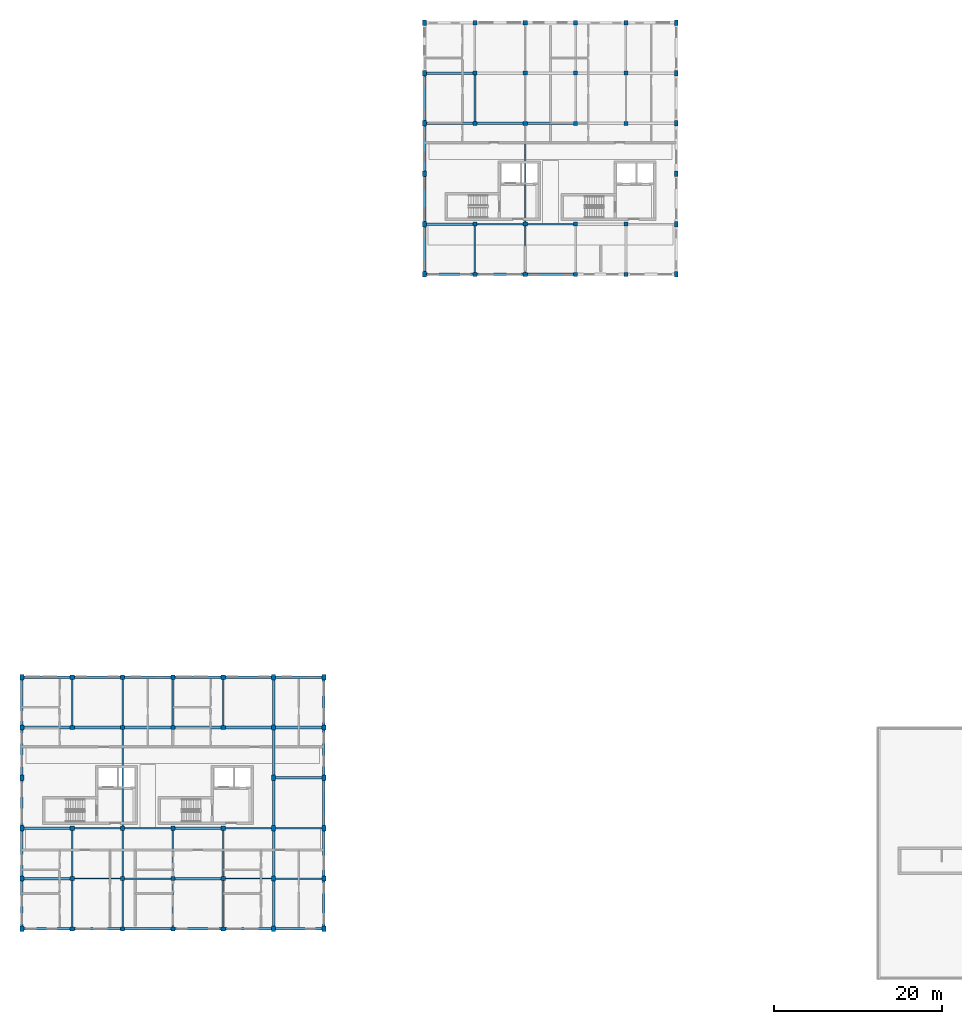
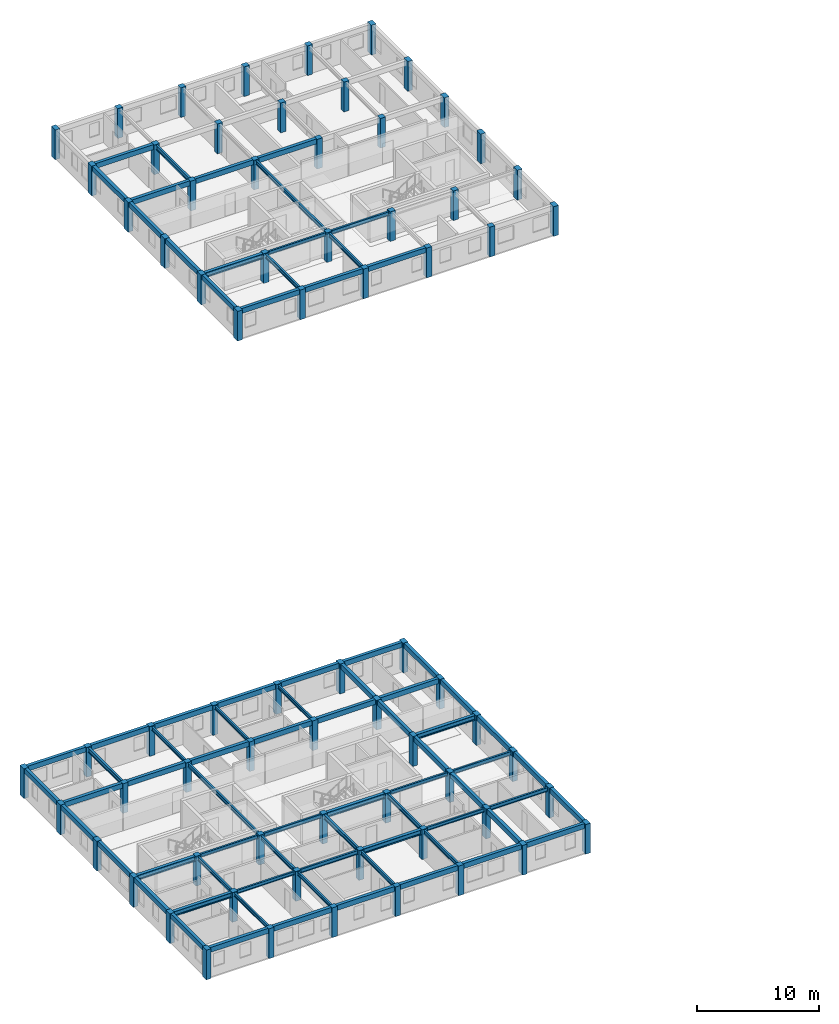
# One storey, part 1 of 17: 77 beams, 70 columns.
"""IFC4 building model written with IfcOpenShell, lengths in metres."""

from ifc_helpers import new_model, si_unit, direction, frame, origin, origin_2d, place, context, subcontext, project, spatial, rectangle, i_section, extrude, material, material_profile, profile_set, type_object, element, save


model = new_model("IFC4")

# Units and contexts
model_context = context("Model", 3, precision=1e-05, world=origin(), true_north=direction((0.0, 1.0)))
body_context = subcontext(model_context, "Body", "Model", "MODEL_VIEW")
ifc_project = project(units=[si_unit("LENGTHUNIT", "METRE"), si_unit("AREAUNIT", "SQUARE_METRE"), si_unit("VOLUMEUNIT", "CUBIC_METRE"), si_unit("PLANEANGLEUNIT", "RADIAN"), si_unit("MASSUNIT", "GRAM", prefix="KILO"), si_unit("POWERUNIT", "WATT"), si_unit("THERMODYNAMICTEMPERATUREUNIT", "KELVIN")], contexts=[model_context])

# Site, building, storey
site_placement = place(None, origin())
site = spatial("IfcSite", under=ifc_project, at=site_placement, CompositionType="ELEMENT")
building_placement = place(site_placement, origin())
building = spatial("IfcBuilding", under=site, at=building_placement, Name="Ruvembo Vaulted Housing Court", CompositionType="ELEMENT")
storey_placement = place(building_placement, frame((0.0, 0.0, 30.10009765625)))
storey = spatial("IfcBuildingStorey", under=building, at=storey_placement, Name="L09", CompositionType="ELEMENT", Elevation=30.10009765625)

# Columns
ifc_material_1 = material(Name="Concrete C35/45", Category="concrete")
ifc_material_profile_1 = material_profile(ifc_material_1, rectangle(XDim=0.449951171875, YDim=0.64990234375, at=origin_2d()), Name="RC 450x650")
ifc_profile_set_1 = profile_set([ifc_material_profile_1], Name="Concrete C35/45")
column_type_1 = type_object("IfcColumnType", Name="COL-RC-450x650", PredefinedType="COLUMN", material=ifc_profile_set_1)
for number, where, z_axis, x_axis, name in (
    (1, (0.0, 6.0, 0.0), (0.0, 0.0, 1.0), (1.0, 0.0, 0.0), "L09 Column (0,6)"),
    (2, (0.0, 12.0, 0.0), (0.0, 0.0, 1.0), (1.0, 0.0, 0.0), "L09 Column (0,12)"),
    (3, (0.0, 18.0, 0.0), (0.0, 0.0, 1.0), (1.0, 0.0, 0.0), "L09 Column (0,18)"),
    (4, (0.0, 24.0, 0.0), (0.0, 0.0, 1.0), (1.0, 0.0, 0.0), "L09 Column (0,24)"),
    (5, (0.0, 30.0, 0.0), (0.0, 0.0, 1.0), (1.0, 0.0, 0.0), "L09 Column (0,30)"),
    (6, (0.0, 36.0, 0.0), (0.0, 0.0, 1.0), (1.0, 0.0, 0.0), "L09 Column (0,36)"),
    (7, (30.0, 6.0, 0.0), (0.0, 0.0, 1.0), (1.0, 0.0, 0.0), "L09 Column (30,6)"),
    (8, (30.0, 12.0, 0.0), (0.0, 0.0, 1.0), (1.0, 0.0, 0.0), "L09 Column (30,12)"),
    (9, (30.0, 18.0, 0.0), (0.0, 0.0, 1.0), (1.0, 0.0, 0.0), "L09 Column (30,18)"),
    (10, (30.0, 24.0, 0.0), (0.0, 0.0, 1.0), (1.0, 0.0, 0.0), "L09 Column (30,24)"),
    (11, (30.0, 30.0, 0.0), (0.0, 0.0, 1.0), (1.0, 0.0, 0.0), "L09 Column (30,30)"),
    (12, (30.0, 36.0, 0.0), (0.0, 0.0, 1.0), (1.0, 0.0, 0.0), "L09 Column (30,36)"),
    (13, (36.0, 6.0, 0.0), (0.0, 0.0, 1.0), (1.0, 0.0, 0.0), "L09 Column (36,6)"),
    (14, (36.0, 12.0, 0.0), (0.0, 0.0, 1.0), (1.0, 0.0, 0.0), "L09 Column (36,12)"),
    (15, (36.0, 18.0, 0.0), (0.0, 0.0, 1.0), (1.0, 0.0, 0.0), "L09 Column (36,18)"),
    (16, (36.0, 24.0, 0.0), (0.0, 0.0, 1.0), (1.0, 0.0, 0.0), "L09 Column (36,24)"),
    (17, (36.0, 30.0, 0.0), (0.0, 0.0, 1.0), (1.0, 0.0, 0.0), "L09 Column (36,30)"),
    (18, (36.0, 36.0, 0.0), (0.0, 0.0, 1.0), (1.0, 0.0, 0.0), "L09 Column (36,36)"),
    (19, (48.0, 84.0, 0.0), (0.0, 0.0, 1.0), (1.0, 0.0, 0.0), "L09 Column (48,84)"),
    (20, (48.0, 90.0, 0.0), (0.0, 0.0, 1.0), (1.0, 0.0, 0.0), "L09 Column (48,90)"),
    (21, (48.0, 96.0, 0.0), (0.0, 0.0, 1.0), (1.0, 0.0, 0.0), "L09 Column (48,96)"),
    (22, (48.0, 102.0, 0.0), (0.0, 0.0, 1.0), (1.0, 0.0, 0.0), "L09 Column (48,102)"),
    (23, (48.0, 108.0, 0.0), (0.0, 0.0, 1.0), (1.0, 0.0, 0.0), "L09 Column (48,108)"),
    (24, (48.0, 114.0, 0.0), (0.0, 0.0, 1.0), (1.0, 0.0, 0.0), "L09 Column (48,114)"),
    (25, (78.0, 84.0, 0.0), (0.0, 0.0, 1.0), (1.0, 0.0, 0.0), "L09 Column (78,84)"),
    (26, (78.0, 90.0, 0.0), (0.0, 0.0, 1.0), (1.0, 0.0, 0.0), "L09 Column (78,90)"),
    (27, (78.0, 96.0, 0.0), (0.0, 0.0, 1.0), (1.0, 0.0, 0.0), "L09 Column (78,96)"),
    (28, (78.0, 102.0, 0.0), (0.0, 0.0, 1.0), (1.0, 0.0, 0.0), "L09 Column (78,102)"),
    (29, (78.0, 108.0, 0.0), (0.0, 0.0, 1.0), (1.0, 0.0, 0.0), "L09 Column (78,108)"),
    (30, (78.0, 114.0, 0.0), (0.0, 0.0, 1.0), (1.0, 0.0, 0.0), "L09 Column (78,114)"),
):
    element("IfcColumn", number, at=place(storey_placement, frame(where, z_axis=z_axis, x_axis=x_axis)), inside=storey, type_object=column_type_1, Name=name, PredefinedType="COLUMN", context=body_context, shape_type="SweptSolid", body=[
        extrude(rectangle(XDim=0.449951171875, YDim=0.64990234375, at=origin_2d()), origin(), (0.0, 0.0, 1.0), 2.98486328125),
    ])
ifc_material_profile_2 = material_profile(ifc_material_1, rectangle(XDim=0.5, YDim=0.5, at=origin_2d()), Name="RC 500x500")
ifc_profile_set_2 = profile_set([ifc_material_profile_2], Name="Concrete C35/45")
column_type_2 = type_object("IfcColumnType", Name="COL-RC-500", PredefinedType="COLUMN", material=ifc_profile_set_2)
for number, where, z_axis, x_axis, name in (
    (31, (6.0, 6.0, 0.0), (0.0, 0.0, 1.0), (1.0, 0.0, 0.0), "L09 Column (6,6)"),
    (32, (6.0, 12.0, 0.0), (0.0, 0.0, 1.0), (1.0, 0.0, 0.0), "L09 Column (6,12)"),
    (33, (6.0, 18.0, 0.0), (0.0, 0.0, 1.0), (1.0, 0.0, 0.0), "L09 Column (6,18)"),
    (34, (6.0, 30.0, 0.0), (0.0, 0.0, 1.0), (1.0, 0.0, 0.0), "L09 Column (6,30)"),
    (35, (6.0, 36.0, 0.0), (0.0, 0.0, 1.0), (1.0, 0.0, 0.0), "L09 Column (6,36)"),
    (36, (12.0, 6.0, 0.0), (0.0, 0.0, 1.0), (1.0, 0.0, 0.0), "L09 Column (12,6)"),
    (37, (12.0, 12.0, 0.0), (0.0, 0.0, 1.0), (1.0, 0.0, 0.0), "L09 Column (12,12)"),
    (38, (12.0, 18.0, 0.0), (0.0, 0.0, 1.0), (1.0, 0.0, 0.0), "L09 Column (12,18)"),
    (39, (12.0, 30.0, 0.0), (0.0, 0.0, 1.0), (1.0, 0.0, 0.0), "L09 Column (12,30)"),
    (40, (12.0, 36.0, 0.0), (0.0, 0.0, 1.0), (1.0, 0.0, 0.0), "L09 Column (12,36)"),
    (41, (18.0, 6.0, 0.0), (0.0, 0.0, 1.0), (1.0, 0.0, 0.0), "L09 Column (18,6)"),
    (42, (18.0, 12.0, 0.0), (0.0, 0.0, 1.0), (1.0, 0.0, 0.0), "L09 Column (18,12)"),
    (43, (18.0, 18.0, 0.0), (0.0, 0.0, 1.0), (1.0, 0.0, 0.0), "L09 Column (18,18)"),
    (44, (18.0, 30.0, 0.0), (0.0, 0.0, 1.0), (1.0, 0.0, 0.0), "L09 Column (18,30)"),
    (45, (18.0, 36.0, 0.0), (0.0, 0.0, 1.0), (1.0, 0.0, 0.0), "L09 Column (18,36)"),
    (46, (24.0, 6.0, 0.0), (0.0, 0.0, 1.0), (1.0, 0.0, 0.0), "L09 Column (24,6)"),
    (47, (24.0, 12.0, 0.0), (0.0, 0.0, 1.0), (1.0, 0.0, 0.0), "L09 Column (24,12)"),
    (48, (24.0, 18.0, 0.0), (0.0, 0.0, 1.0), (1.0, 0.0, 0.0), "L09 Column (24,18)"),
    (49, (24.0, 30.0, 0.0), (0.0, 0.0, 1.0), (1.0, 0.0, 0.0), "L09 Column (24,30)"),
    (50, (24.0, 36.0, 0.0), (0.0, 0.0, 1.0), (1.0, 0.0, 0.0), "L09 Column (24,36)"),
    (51, (54.0, 84.0, 0.0), (0.0, 0.0, 1.0), (1.0, 0.0, 0.0), "L09 Column (54,84)"),
    (52, (54.0, 90.0, 0.0), (0.0, 0.0, 1.0), (1.0, 0.0, 0.0), "L09 Column (54,90)"),
    (53, (54.0, 102.0, 0.0), (0.0, 0.0, 1.0), (1.0, 0.0, 0.0), "L09 Column (54,102)"),
    (54, (54.0, 108.0, 0.0), (0.0, 0.0, 1.0), (1.0, 0.0, 0.0), "L09 Column (54,108)"),
    (55, (54.0, 114.0, 0.0), (0.0, 0.0, 1.0), (1.0, 0.0, 0.0), "L09 Column (54,114)"),
    (56, (60.0, 84.0, 0.0), (0.0, 0.0, 1.0), (1.0, 0.0, 0.0), "L09 Column (60,84)"),
    (57, (60.0, 90.0, 0.0), (0.0, 0.0, 1.0), (1.0, 0.0, 0.0), "L09 Column (60,90)"),
    (58, (60.0, 102.0, 0.0), (0.0, 0.0, 1.0), (1.0, 0.0, 0.0), "L09 Column (60,102)"),
    (59, (60.0, 108.0, 0.0), (0.0, 0.0, 1.0), (1.0, 0.0, 0.0), "L09 Column (60,108)"),
    (60, (60.0, 114.0, 0.0), (0.0, 0.0, 1.0), (1.0, 0.0, 0.0), "L09 Column (60,114)"),
    (61, (66.0, 84.0, 0.0), (0.0, 0.0, 1.0), (1.0, 0.0, 0.0), "L09 Column (66,84)"),
    (62, (66.0, 90.0, 0.0), (0.0, 0.0, 1.0), (1.0, 0.0, 0.0), "L09 Column (66,90)"),
    (63, (66.0, 102.0, 0.0), (0.0, 0.0, 1.0), (1.0, 0.0, 0.0), "L09 Column (66,102)"),
    (64, (66.0, 108.0, 0.0), (0.0, 0.0, 1.0), (1.0, 0.0, 0.0), "L09 Column (66,108)"),
    (65, (66.0, 114.0, 0.0), (0.0, 0.0, 1.0), (1.0, 0.0, 0.0), "L09 Column (66,114)"),
    (66, (72.0, 84.0, 0.0), (0.0, 0.0, 1.0), (1.0, 0.0, 0.0), "L09 Column (72,84)"),
    (67, (72.0, 90.0, 0.0), (0.0, 0.0, 1.0), (1.0, 0.0, 0.0), "L09 Column (72,90)"),
    (68, (72.0, 102.0, 0.0), (0.0, 0.0, 1.0), (1.0, 0.0, 0.0), "L09 Column (72,102)"),
    (69, (72.0, 108.0, 0.0), (0.0, 0.0, 1.0), (1.0, 0.0, 0.0), "L09 Column (72,108)"),
    (70, (72.0, 114.0, 0.0), (0.0, 0.0, 1.0), (1.0, 0.0, 0.0), "L09 Column (72,114)"),
):
    element("IfcColumn", number, at=place(storey_placement, frame(where, z_axis=z_axis, x_axis=x_axis)), inside=storey, type_object=column_type_2, Name=name, PredefinedType="COLUMN", context=body_context, shape_type="SweptSolid", body=[
        extrude(rectangle(XDim=0.5, YDim=0.5, at=origin_2d()), origin(), (0.0, 0.0, 1.0), 2.98486328125),
    ])

# Beams
ifc_material_2 = material(Name="Steel S355J2", Category="steel")
ifc_material_profile_3 = material_profile(ifc_material_2, i_section(OverallWidth=0.300048828125, OverallDepth=0.5, WebThickness=0.014404296875, FlangeThickness=0.028076171875, FilletRadius=0.027099609375, at=origin_2d()), Name="HEB 320")
ifc_profile_set_3 = profile_set([ifc_material_profile_3], Name="Steel S355J2")
beam_type_1 = type_object("IfcBeamType", Name="BM-ST-HEB320", PredefinedType="BEAM", material=ifc_profile_set_3)
beam_1_placement = place(storey_placement, frame((0.2099609375, 12.0, 2.67578125), z_axis=(1.0, 0.0, 0.0), x_axis=(0.0, 1.0, 0.0)))
element("IfcBeam", 71, at=beam_1_placement, inside=storey, type_object=beam_type_1, Name="L09 Grid Beam X #3140", PredefinedType="BEAM", context=body_context, shape_type="SweptSolid", body=[
    extrude(i_section(OverallWidth=0.300048828125, OverallDepth=0.5, WebThickness=0.014404296875, FlangeThickness=0.028076171875, FilletRadius=0.027099609375, at=origin_2d()), origin(), (0.0, 0.0, 1.0), 5.554931640625),
])
beam_2_placement = place(storey_placement, frame((18.235107421875, 12.0, 2.67578125), z_axis=(1.0, 0.0, 0.0), x_axis=(0.0, 1.0, 0.0)))
element("IfcBeam", 72, at=beam_2_placement, inside=storey, type_object=beam_type_1, Name="L09 Grid Beam X #3143", PredefinedType="BEAM", context=body_context, shape_type="SweptSolid", body=[
    extrude(i_section(OverallWidth=0.300048828125, OverallDepth=0.5, WebThickness=0.014404296875, FlangeThickness=0.028076171875, FilletRadius=0.027099609375, at=origin_2d()), origin(), (0.0, 0.0, 1.0), 5.52978515625),
])
beam_3_placement = place(storey_placement, frame((0.2099609375, 18.0, 2.67578125), z_axis=(1.0, 0.0, 0.0), x_axis=(0.0, 1.0, 0.0)))
element("IfcBeam", 73, at=beam_3_placement, inside=storey, type_object=beam_type_1, Name="L09 Grid Beam X #3146", PredefinedType="BEAM", context=body_context, shape_type="SweptSolid", body=[
    extrude(i_section(OverallWidth=0.300048828125, OverallDepth=0.5, WebThickness=0.014404296875, FlangeThickness=0.028076171875, FilletRadius=0.027099609375, at=origin_2d()), origin(), (0.0, 0.0, 1.0), 5.554931640625),
])
beam_4_placement = place(storey_placement, frame((18.235107421875, 18.0, 2.67578125), z_axis=(1.0, 0.0, 0.0), x_axis=(0.0, 1.0, 0.0)))
element("IfcBeam", 74, at=beam_4_placement, inside=storey, type_object=beam_type_1, Name="L09 Grid Beam X #3149", PredefinedType="BEAM", context=body_context, shape_type="SweptSolid", body=[
    extrude(i_section(OverallWidth=0.300048828125, OverallDepth=0.5, WebThickness=0.014404296875, FlangeThickness=0.028076171875, FilletRadius=0.027099609375, at=origin_2d()), origin(), (0.0, 0.0, 1.0), 5.52978515625),
])
beam_5_placement = place(storey_placement, frame((30.2099609375, 24.0, 2.67578125), z_axis=(1.0, 0.0, 0.0), x_axis=(0.0, 1.0, 0.0)))
element("IfcBeam", 75, at=beam_5_placement, inside=storey, type_object=beam_type_1, Name="L09 Grid Beam X #3152", PredefinedType="BEAM", context=body_context, shape_type="SweptSolid", body=[
    extrude(i_section(OverallWidth=0.300048828125, OverallDepth=0.5, WebThickness=0.014404296875, FlangeThickness=0.028076171875, FilletRadius=0.027099609375, at=origin_2d()), origin(), (0.0, 0.0, 1.0), 5.580078125),
])
beam_6_placement = place(storey_placement, frame((48.2099609375, 90.0, 2.67578125), z_axis=(1.0, 0.0, 0.0), x_axis=(0.0, 1.0, 0.0)))
element("IfcBeam", 76, at=beam_6_placement, inside=storey, type_object=beam_type_1, Name="L09 Grid Beam X #3170", PredefinedType="BEAM", context=body_context, shape_type="SweptSolid", body=[
    extrude(i_section(OverallWidth=0.300048828125, OverallDepth=0.5, WebThickness=0.014404296875, FlangeThickness=0.028076171875, FilletRadius=0.027099609375, at=origin_2d()), origin(), (0.0, 0.0, 1.0), 5.554931640625),
])
ifc_material_profile_4 = material_profile(ifc_material_2, i_section(OverallWidth=0.169921875, OverallDepth=0.360107421875, WebThickness=0.008056640625, FlangeThickness=0.0126953125, FilletRadius=0.01806640625, at=origin_2d()), Name="IPE 360")
ifc_profile_set_4 = profile_set([ifc_material_profile_4], Name="Steel S355J2")
beam_type_2 = type_object("IfcBeamType", Name="BM-ST-IPE360", PredefinedType="BEAM", material=ifc_profile_set_4)
beam_7_placement = place(storey_placement, frame((6.235107421875, 12.0, 2.745849609375), z_axis=(1.0, 0.0, 0.0), x_axis=(0.0, 1.0, 0.0)))
element("IfcBeam", 77, at=beam_7_placement, inside=storey, type_object=beam_type_2, Name="L09 Grid Beam X #3141", PredefinedType="BEAM", context=body_context, shape_type="SweptSolid", body=[
    extrude(i_section(OverallWidth=0.169921875, OverallDepth=0.360107421875, WebThickness=0.008056640625, FlangeThickness=0.0126953125, FilletRadius=0.01806640625, at=origin_2d()), origin(), (0.0, 0.0, 1.0), 5.52978515625),
])
beam_8_placement = place(storey_placement, frame((24.235107421875, 12.0, 2.745849609375), z_axis=(1.0, 0.0, 0.0), x_axis=(0.0, 1.0, 0.0)))
element("IfcBeam", 78, at=beam_8_placement, inside=storey, type_object=beam_type_2, Name="L09 Grid Beam X #3144", PredefinedType="BEAM", context=body_context, shape_type="SweptSolid", body=[
    extrude(i_section(OverallWidth=0.169921875, OverallDepth=0.360107421875, WebThickness=0.008056640625, FlangeThickness=0.0126953125, FilletRadius=0.01806640625, at=origin_2d()), origin(), (0.0, 0.0, 1.0), 5.554931640625),
])
beam_9_placement = place(storey_placement, frame((6.235107421875, 18.0, 2.745849609375), z_axis=(1.0, 0.0, 0.0), x_axis=(0.0, 1.0, 0.0)))
element("IfcBeam", 79, at=beam_9_placement, inside=storey, type_object=beam_type_2, Name="L09 Grid Beam X #3147", PredefinedType="BEAM", context=body_context, shape_type="SweptSolid", body=[
    extrude(i_section(OverallWidth=0.169921875, OverallDepth=0.360107421875, WebThickness=0.008056640625, FlangeThickness=0.0126953125, FilletRadius=0.01806640625, at=origin_2d()), origin(), (0.0, 0.0, 1.0), 5.52978515625),
])
beam_10_placement = place(storey_placement, frame((24.235107421875, 18.0, 2.745849609375), z_axis=(1.0, 0.0, 0.0), x_axis=(0.0, 1.0, 0.0)))
element("IfcBeam", 80, at=beam_10_placement, inside=storey, type_object=beam_type_2, Name="L09 Grid Beam X #3150", PredefinedType="BEAM", context=body_context, shape_type="SweptSolid", body=[
    extrude(i_section(OverallWidth=0.169921875, OverallDepth=0.360107421875, WebThickness=0.008056640625, FlangeThickness=0.0126953125, FilletRadius=0.01806640625, at=origin_2d()), origin(), (0.0, 0.0, 1.0), 5.554931640625),
])
for number, where, z_axis, x_axis, name in (
    (81, (54.235107421875, 90.0, 2.745849609375), (1.0, 0.0, 0.0), (0.0, 1.0, 0.0), "L09 Grid Beam X #3171"),
    (82, (6.0, 6.235107421875, 2.745849609375), (0.0, 1.0, 0.0), (-1.0, 0.0, 0.0), "L09 Grid Beam Y #3195"),
    (83, (12.0, 6.235107421875, 2.745849609375), (0.0, 1.0, 0.0), (-1.0, 0.0, 0.0), "L09 Grid Beam Y #3198"),
    (84, (12.0, 30.235107421875, 2.745849609375), (0.0, 1.0, 0.0), (-1.0, 0.0, 0.0), "L09 Grid Beam Y #3201"),
    (85, (18.0, 30.235107421875, 2.745849609375), (0.0, 1.0, 0.0), (-1.0, 0.0, 0.0), "L09 Grid Beam Y #3204"),
    (86, (24.0, 30.235107421875, 2.745849609375), (0.0, 1.0, 0.0), (-1.0, 0.0, 0.0), "L09 Grid Beam Y #3207"),
):
    element("IfcBeam", number, at=place(storey_placement, frame(where, z_axis=z_axis, x_axis=x_axis)), inside=storey, type_object=beam_type_2, Name=name, PredefinedType="BEAM", context=body_context, shape_type="SweptSolid", body=[
        extrude(i_section(OverallWidth=0.169921875, OverallDepth=0.360107421875, WebThickness=0.008056640625, FlangeThickness=0.0126953125, FilletRadius=0.01806640625, at=origin_2d()), origin(), (0.0, 0.0, 1.0), 5.52978515625),
    ])
ifc_material_profile_5 = material_profile(ifc_material_2, i_section(OverallWidth=0.179931640625, OverallDepth=0.39990234375, WebThickness=0.008544921875, FlangeThickness=0.013427734375, FilletRadius=0.02099609375, at=origin_2d()), Name="IPE 400")
ifc_profile_set_5 = profile_set([ifc_material_profile_5], Name="Steel S355J2")
beam_type_3 = type_object("IfcBeamType", Name="BM-ST-IPE400", PredefinedType="BEAM", material=ifc_profile_set_5)
beam_11_placement = place(storey_placement, frame((12.235107421875, 12.0, 2.725830078125), z_axis=(1.0, 0.0, 0.0), x_axis=(0.0, 1.0, 0.0)))
element("IfcBeam", 87, at=beam_11_placement, inside=storey, type_object=beam_type_3, Name="L09 Grid Beam X #3142", PredefinedType="BEAM", context=body_context, shape_type="SweptSolid", body=[
    extrude(i_section(OverallWidth=0.179931640625, OverallDepth=0.39990234375, WebThickness=0.008544921875, FlangeThickness=0.013427734375, FilletRadius=0.02099609375, at=origin_2d()), origin(), (0.0, 0.0, 1.0), 5.52978515625),
])
beam_12_placement = place(storey_placement, frame((30.2099609375, 12.0, 2.725830078125), z_axis=(1.0, 0.0, 0.0), x_axis=(0.0, 1.0, 0.0)))
element("IfcBeam", 88, at=beam_12_placement, inside=storey, type_object=beam_type_3, Name="L09 Grid Beam X #3145", PredefinedType="BEAM", context=body_context, shape_type="SweptSolid", body=[
    extrude(i_section(OverallWidth=0.179931640625, OverallDepth=0.39990234375, WebThickness=0.008544921875, FlangeThickness=0.013427734375, FilletRadius=0.02099609375, at=origin_2d()), origin(), (0.0, 0.0, 1.0), 5.580078125),
])
beam_13_placement = place(storey_placement, frame((12.235107421875, 18.0, 2.725830078125), z_axis=(1.0, 0.0, 0.0), x_axis=(0.0, 1.0, 0.0)))
element("IfcBeam", 89, at=beam_13_placement, inside=storey, type_object=beam_type_3, Name="L09 Grid Beam X #3148", PredefinedType="BEAM", context=body_context, shape_type="SweptSolid", body=[
    extrude(i_section(OverallWidth=0.179931640625, OverallDepth=0.39990234375, WebThickness=0.008544921875, FlangeThickness=0.013427734375, FilletRadius=0.02099609375, at=origin_2d()), origin(), (0.0, 0.0, 1.0), 5.52978515625),
])
beam_14_placement = place(storey_placement, frame((30.2099609375, 18.0, 2.725830078125), z_axis=(1.0, 0.0, 0.0), x_axis=(0.0, 1.0, 0.0)))
element("IfcBeam", 90, at=beam_14_placement, inside=storey, type_object=beam_type_3, Name="L09 Grid Beam X #3151", PredefinedType="BEAM", context=body_context, shape_type="SweptSolid", body=[
    extrude(i_section(OverallWidth=0.179931640625, OverallDepth=0.39990234375, WebThickness=0.008544921875, FlangeThickness=0.013427734375, FilletRadius=0.02099609375, at=origin_2d()), origin(), (0.0, 0.0, 1.0), 5.580078125),
])
for number, where, z_axis, x_axis, name in (
    (91, (60.235107421875, 90.0, 2.725830078125), (1.0, 0.0, 0.0), (0.0, 1.0, 0.0), "L09 Grid Beam X #3172"),
    (92, (6.0, 12.235107421875, 2.725830078125), (0.0, 1.0, 0.0), (-1.0, 0.0, 0.0), "L09 Grid Beam Y #3196"),
    (93, (12.0, 12.235107421875, 2.725830078125), (0.0, 1.0, 0.0), (-1.0, 0.0, 0.0), "L09 Grid Beam Y #3199"),
):
    element("IfcBeam", number, at=place(storey_placement, frame(where, z_axis=z_axis, x_axis=x_axis)), inside=storey, type_object=beam_type_3, Name=name, PredefinedType="BEAM", context=body_context, shape_type="SweptSolid", body=[
        extrude(i_section(OverallWidth=0.179931640625, OverallDepth=0.39990234375, WebThickness=0.008544921875, FlangeThickness=0.013427734375, FilletRadius=0.02099609375, at=origin_2d()), origin(), (0.0, 0.0, 1.0), 5.52978515625),
    ])
beam_15_placement = place(storey_placement, frame((12.0, 18.235107421875, 2.725830078125), z_axis=(0.0, 1.0, 0.0), x_axis=(-1.0, 0.0, 0.0)))
element("IfcBeam", 94, at=beam_15_placement, inside=storey, type_object=beam_type_3, Name="L09 Grid Beam Y #3200", PredefinedType="BEAM", context=body_context, shape_type="SweptSolid", body=[
    extrude(i_section(OverallWidth=0.179931640625, OverallDepth=0.39990234375, WebThickness=0.008544921875, FlangeThickness=0.013427734375, FilletRadius=0.02099609375, at=origin_2d()), origin(), (0.0, 0.0, 1.0), 11.52978515625),
])
for number, where, z_axis, x_axis, name in (
    (95, (18.0, 6.235107421875, 2.725830078125), (0.0, 1.0, 0.0), (-1.0, 0.0, 0.0), "L09 Grid Beam Y #3202"),
    (96, (24.0, 6.235107421875, 2.725830078125), (0.0, 1.0, 0.0), (-1.0, 0.0, 0.0), "L09 Grid Beam Y #3205"),
    (97, (54.0, 84.235107421875, 2.725830078125), (0.0, 1.0, 0.0), (-1.0, 0.0, 0.0), "L09 Grid Beam Y #3223"),
    (98, (60.0, 84.235107421875, 2.725830078125), (0.0, 1.0, 0.0), (-1.0, 0.0, 0.0), "L09 Grid Beam Y #3226"),
):
    element("IfcBeam", number, at=place(storey_placement, frame(where, z_axis=z_axis, x_axis=x_axis)), inside=storey, type_object=beam_type_3, Name=name, PredefinedType="BEAM", context=body_context, shape_type="SweptSolid", body=[
        extrude(i_section(OverallWidth=0.179931640625, OverallDepth=0.39990234375, WebThickness=0.008544921875, FlangeThickness=0.013427734375, FilletRadius=0.02099609375, at=origin_2d()), origin(), (0.0, 0.0, 1.0), 5.52978515625),
    ])
beam_16_placement = place(storey_placement, frame((60.0, 90.235107421875, 2.725830078125), z_axis=(0.0, 1.0, 0.0), x_axis=(-1.0, 0.0, 0.0)))
element("IfcBeam", 99, at=beam_16_placement, inside=storey, type_object=beam_type_3, Name="L09 Grid Beam Y #3227", PredefinedType="BEAM", context=body_context, shape_type="SweptSolid", body=[
    extrude(i_section(OverallWidth=0.179931640625, OverallDepth=0.39990234375, WebThickness=0.008544921875, FlangeThickness=0.013427734375, FilletRadius=0.02099609375, at=origin_2d()), origin(), (0.0, 0.0, 1.0), 11.52978515625),
])
ifc_material_profile_6 = material_profile(ifc_material_2, i_section(OverallWidth=0.18994140625, OverallDepth=0.449951171875, WebThickness=0.009521484375, FlangeThickness=0.0146484375, FilletRadius=0.02099609375, at=origin_2d()), Name="IPE 450")
ifc_profile_set_6 = profile_set([ifc_material_profile_6], Name="Steel S355J2")
beam_type_4 = type_object("IfcBeamType", Name="BM-ST-IPE450", PredefinedType="BEAM", material=ifc_profile_set_6)
for number, where, z_axis, x_axis, name in (
    (100, (6.0, 30.235107421875, 2.700927734375), (0.0, 1.0, 0.0), (-1.0, 0.0, 0.0), "L09 Grid Beam Y #3197"),
    (101, (18.0, 12.235107421875, 2.700927734375), (0.0, 1.0, 0.0), (-1.0, 0.0, 0.0), "L09 Grid Beam Y #3203"),
    (102, (24.0, 12.235107421875, 2.700927734375), (0.0, 1.0, 0.0), (-1.0, 0.0, 0.0), "L09 Grid Beam Y #3206"),
    (103, (54.0, 102.235107421875, 2.700927734375), (0.0, 1.0, 0.0), (-1.0, 0.0, 0.0), "L09 Grid Beam Y #3224"),
):
    element("IfcBeam", number, at=place(storey_placement, frame(where, z_axis=z_axis, x_axis=x_axis)), inside=storey, type_object=beam_type_4, Name=name, PredefinedType="BEAM", context=body_context, shape_type="SweptSolid", body=[
        extrude(i_section(OverallWidth=0.18994140625, OverallDepth=0.449951171875, WebThickness=0.009521484375, FlangeThickness=0.0146484375, FilletRadius=0.02099609375, at=origin_2d()), origin(), (0.0, 0.0, 1.0), 5.52978515625),
    ])
ifc_material_profile_7 = material_profile(ifc_material_1, rectangle(XDim=0.300048828125, YDim=0.5, at=origin_2d()), Name="RC 300x500")
ifc_profile_set_7 = profile_set([ifc_material_profile_7], Name="Concrete C35/45")
beam_type_5 = type_object("IfcBeamType", Name="SP-RC-300x500", PredefinedType="SPANDREL", material=ifc_profile_set_7)
beam_17_placement = place(storey_placement, frame((0.2099609375, 6.0, 2.73486328125), z_axis=(1.0, 0.0, 0.0), x_axis=(0.0, 1.0, 0.0)))
element("IfcBeam", 104, at=beam_17_placement, inside=storey, type_object=beam_type_5, Name="L09 Grid Beam X #3134", PredefinedType="SPANDREL", context=body_context, shape_type="SweptSolid", body=[
    extrude(rectangle(XDim=0.300048828125, YDim=0.5, at=origin_2d()), origin(), (0.0, 0.0, 1.0), 5.554931640625),
])
for number, where, z_axis, x_axis, name in (
    (105, (6.235107421875, 6.0, 2.73486328125), (1.0, 0.0, 0.0), (0.0, 1.0, 0.0), "L09 Grid Beam X #3135"),
    (106, (12.235107421875, 6.0, 2.73486328125), (1.0, 0.0, 0.0), (0.0, 1.0, 0.0), "L09 Grid Beam X #3136"),
    (107, (18.235107421875, 6.0, 2.73486328125), (1.0, 0.0, 0.0), (0.0, 1.0, 0.0), "L09 Grid Beam X #3137"),
):
    element("IfcBeam", number, at=place(storey_placement, frame(where, z_axis=z_axis, x_axis=x_axis)), inside=storey, type_object=beam_type_5, Name=name, PredefinedType="SPANDREL", context=body_context, shape_type="SweptSolid", body=[
        extrude(rectangle(XDim=0.300048828125, YDim=0.5, at=origin_2d()), origin(), (0.0, 0.0, 1.0), 5.52978515625),
    ])
beam_18_placement = place(storey_placement, frame((24.235107421875, 6.0, 2.73486328125), z_axis=(1.0, 0.0, 0.0), x_axis=(0.0, 1.0, 0.0)))
element("IfcBeam", 108, at=beam_18_placement, inside=storey, type_object=beam_type_5, Name="L09 Grid Beam X #3138", PredefinedType="SPANDREL", context=body_context, shape_type="SweptSolid", body=[
    extrude(rectangle(XDim=0.300048828125, YDim=0.5, at=origin_2d()), origin(), (0.0, 0.0, 1.0), 5.554931640625),
])
beam_19_placement = place(storey_placement, frame((30.2099609375, 6.0, 2.73486328125), z_axis=(1.0, 0.0, 0.0), x_axis=(0.0, 1.0, 0.0)))
element("IfcBeam", 109, at=beam_19_placement, inside=storey, type_object=beam_type_5, Name="L09 Grid Beam X #3139", PredefinedType="SPANDREL", context=body_context, shape_type="SweptSolid", body=[
    extrude(rectangle(XDim=0.300048828125, YDim=0.5, at=origin_2d()), origin(), (0.0, 0.0, 1.0), 5.580078125),
])
beam_20_placement = place(storey_placement, frame((0.2099609375, 30.0, 2.73486328125), z_axis=(1.0, 0.0, 0.0), x_axis=(0.0, 1.0, 0.0)))
element("IfcBeam", 110, at=beam_20_placement, inside=storey, type_object=beam_type_5, Name="L09 Grid Beam X #3153", PredefinedType="SPANDREL", context=body_context, shape_type="SweptSolid", body=[
    extrude(rectangle(XDim=0.300048828125, YDim=0.5, at=origin_2d()), origin(), (0.0, 0.0, 1.0), 5.554931640625),
])
for number, where, z_axis, x_axis, name in (
    (111, (6.235107421875, 30.0, 2.73486328125), (1.0, 0.0, 0.0), (0.0, 1.0, 0.0), "L09 Grid Beam X #3154"),
    (112, (12.235107421875, 30.0, 2.73486328125), (1.0, 0.0, 0.0), (0.0, 1.0, 0.0), "L09 Grid Beam X #3155"),
    (113, (18.235107421875, 30.0, 2.73486328125), (1.0, 0.0, 0.0), (0.0, 1.0, 0.0), "L09 Grid Beam X #3156"),
):
    element("IfcBeam", number, at=place(storey_placement, frame(where, z_axis=z_axis, x_axis=x_axis)), inside=storey, type_object=beam_type_5, Name=name, PredefinedType="SPANDREL", context=body_context, shape_type="SweptSolid", body=[
        extrude(rectangle(XDim=0.300048828125, YDim=0.5, at=origin_2d()), origin(), (0.0, 0.0, 1.0), 5.52978515625),
    ])
beam_21_placement = place(storey_placement, frame((24.235107421875, 30.0, 2.73486328125), z_axis=(1.0, 0.0, 0.0), x_axis=(0.0, 1.0, 0.0)))
element("IfcBeam", 114, at=beam_21_placement, inside=storey, type_object=beam_type_5, Name="L09 Grid Beam X #3157", PredefinedType="SPANDREL", context=body_context, shape_type="SweptSolid", body=[
    extrude(rectangle(XDim=0.300048828125, YDim=0.5, at=origin_2d()), origin(), (0.0, 0.0, 1.0), 5.554931640625),
])
beam_22_placement = place(storey_placement, frame((30.2099609375, 30.0, 2.73486328125), z_axis=(1.0, 0.0, 0.0), x_axis=(0.0, 1.0, 0.0)))
element("IfcBeam", 115, at=beam_22_placement, inside=storey, type_object=beam_type_5, Name="L09 Grid Beam X #3158", PredefinedType="SPANDREL", context=body_context, shape_type="SweptSolid", body=[
    extrude(rectangle(XDim=0.300048828125, YDim=0.5, at=origin_2d()), origin(), (0.0, 0.0, 1.0), 5.580078125),
])
beam_23_placement = place(storey_placement, frame((0.2099609375, 36.0, 2.73486328125), z_axis=(1.0, 0.0, 0.0), x_axis=(0.0, 1.0, 0.0)))
element("IfcBeam", 116, at=beam_23_placement, inside=storey, type_object=beam_type_5, Name="L09 Grid Beam X #3159", PredefinedType="SPANDREL", context=body_context, shape_type="SweptSolid", body=[
    extrude(rectangle(XDim=0.300048828125, YDim=0.5, at=origin_2d()), origin(), (0.0, 0.0, 1.0), 5.554931640625),
])
for number, where, z_axis, x_axis, name in (
    (117, (6.235107421875, 36.0, 2.73486328125), (1.0, 0.0, 0.0), (0.0, 1.0, 0.0), "L09 Grid Beam X #3160"),
    (118, (12.235107421875, 36.0, 2.73486328125), (1.0, 0.0, 0.0), (0.0, 1.0, 0.0), "L09 Grid Beam X #3161"),
    (119, (18.235107421875, 36.0, 2.73486328125), (1.0, 0.0, 0.0), (0.0, 1.0, 0.0), "L09 Grid Beam X #3162"),
):
    element("IfcBeam", number, at=place(storey_placement, frame(where, z_axis=z_axis, x_axis=x_axis)), inside=storey, type_object=beam_type_5, Name=name, PredefinedType="SPANDREL", context=body_context, shape_type="SweptSolid", body=[
        extrude(rectangle(XDim=0.300048828125, YDim=0.5, at=origin_2d()), origin(), (0.0, 0.0, 1.0), 5.52978515625),
    ])
beam_24_placement = place(storey_placement, frame((24.235107421875, 36.0, 2.73486328125), z_axis=(1.0, 0.0, 0.0), x_axis=(0.0, 1.0, 0.0)))
element("IfcBeam", 120, at=beam_24_placement, inside=storey, type_object=beam_type_5, Name="L09 Grid Beam X #3163", PredefinedType="SPANDREL", context=body_context, shape_type="SweptSolid", body=[
    extrude(rectangle(XDim=0.300048828125, YDim=0.5, at=origin_2d()), origin(), (0.0, 0.0, 1.0), 5.554931640625),
])
beam_25_placement = place(storey_placement, frame((30.2099609375, 36.0, 2.73486328125), z_axis=(1.0, 0.0, 0.0), x_axis=(0.0, 1.0, 0.0)))
element("IfcBeam", 121, at=beam_25_placement, inside=storey, type_object=beam_type_5, Name="L09 Grid Beam X #3164", PredefinedType="SPANDREL", context=body_context, shape_type="SweptSolid", body=[
    extrude(rectangle(XDim=0.300048828125, YDim=0.5, at=origin_2d()), origin(), (0.0, 0.0, 1.0), 5.580078125),
])
beam_26_placement = place(storey_placement, frame((48.2099609375, 84.0, 2.73486328125), z_axis=(1.0, 0.0, 0.0), x_axis=(0.0, 1.0, 0.0)))
element("IfcBeam", 122, at=beam_26_placement, inside=storey, type_object=beam_type_5, Name="L09 Grid Beam X #3165", PredefinedType="SPANDREL", context=body_context, shape_type="SweptSolid", body=[
    extrude(rectangle(XDim=0.300048828125, YDim=0.5, at=origin_2d()), origin(), (0.0, 0.0, 1.0), 5.554931640625),
])
for number, where, z_axis, x_axis, name in (
    (123, (54.235107421875, 84.0, 2.73486328125), (1.0, 0.0, 0.0), (0.0, 1.0, 0.0), "L09 Grid Beam X #3166"),
    (124, (60.235107421875, 84.0, 2.73486328125), (1.0, 0.0, 0.0), (0.0, 1.0, 0.0), "L09 Grid Beam X #3167"),
):
    element("IfcBeam", number, at=place(storey_placement, frame(where, z_axis=z_axis, x_axis=x_axis)), inside=storey, type_object=beam_type_5, Name=name, PredefinedType="SPANDREL", context=body_context, shape_type="SweptSolid", body=[
        extrude(rectangle(XDim=0.300048828125, YDim=0.5, at=origin_2d()), origin(), (0.0, 0.0, 1.0), 5.52978515625),
    ])
beam_27_placement = place(storey_placement, frame((48.2099609375, 102.0, 2.73486328125), z_axis=(1.0, 0.0, 0.0), x_axis=(0.0, 1.0, 0.0)))
element("IfcBeam", 125, at=beam_27_placement, inside=storey, type_object=beam_type_5, Name="L09 Grid Beam X #3175", PredefinedType="SPANDREL", context=body_context, shape_type="SweptSolid", body=[
    extrude(rectangle(XDim=0.300048828125, YDim=0.5, at=origin_2d()), origin(), (0.0, 0.0, 1.0), 5.554931640625),
])
for number, where, z_axis, x_axis, name in (
    (126, (54.235107421875, 102.0, 2.73486328125), (1.0, 0.0, 0.0), (0.0, 1.0, 0.0), "L09 Grid Beam X #3176"),
    (127, (60.235107421875, 102.0, 2.73486328125), (1.0, 0.0, 0.0), (0.0, 1.0, 0.0), "L09 Grid Beam X #3177"),
):
    element("IfcBeam", number, at=place(storey_placement, frame(where, z_axis=z_axis, x_axis=x_axis)), inside=storey, type_object=beam_type_5, Name=name, PredefinedType="SPANDREL", context=body_context, shape_type="SweptSolid", body=[
        extrude(rectangle(XDim=0.300048828125, YDim=0.5, at=origin_2d()), origin(), (0.0, 0.0, 1.0), 5.52978515625),
    ])
beam_28_placement = place(storey_placement, frame((48.2099609375, 108.0, 2.73486328125), z_axis=(1.0, 0.0, 0.0), x_axis=(0.0, 1.0, 0.0)))
element("IfcBeam", 128, at=beam_28_placement, inside=storey, type_object=beam_type_5, Name="L09 Grid Beam X #3180", PredefinedType="SPANDREL", context=body_context, shape_type="SweptSolid", body=[
    extrude(rectangle(XDim=0.300048828125, YDim=0.5, at=origin_2d()), origin(), (0.0, 0.0, 1.0), 5.554931640625),
])
for number, where, z_axis, x_axis, name in (
    (129, (0.0, 6.31005859375, 2.73486328125), (0.0, 1.0, 0.0), (-1.0, 0.0, 0.0), "L09 Grid Beam Y #3190"),
    (130, (0.0, 12.31005859375, 2.73486328125), (0.0, 1.0, 0.0), (-1.0, 0.0, 0.0), "L09 Grid Beam Y #3191"),
    (131, (0.0, 18.31005859375, 2.73486328125), (0.0, 1.0, 0.0), (-1.0, 0.0, 0.0), "L09 Grid Beam Y #3192"),
    (132, (0.0, 24.31005859375, 2.73486328125), (0.0, 1.0, 0.0), (-1.0, 0.0, 0.0), "L09 Grid Beam Y #3193"),
    (133, (0.0, 30.31005859375, 2.73486328125), (0.0, 1.0, 0.0), (-1.0, 0.0, 0.0), "L09 Grid Beam Y #3194"),
    (134, (30.0, 6.31005859375, 2.73486328125), (0.0, 1.0, 0.0), (-1.0, 0.0, 0.0), "L09 Grid Beam Y #3208"),
    (135, (30.0, 12.31005859375, 2.73486328125), (0.0, 1.0, 0.0), (-1.0, 0.0, 0.0), "L09 Grid Beam Y #3209"),
    (136, (30.0, 18.31005859375, 2.73486328125), (0.0, 1.0, 0.0), (-1.0, 0.0, 0.0), "L09 Grid Beam Y #3210"),
    (137, (30.0, 24.31005859375, 2.73486328125), (0.0, 1.0, 0.0), (-1.0, 0.0, 0.0), "L09 Grid Beam Y #3211"),
    (138, (30.0, 30.31005859375, 2.73486328125), (0.0, 1.0, 0.0), (-1.0, 0.0, 0.0), "L09 Grid Beam Y #3212"),
    (139, (36.0, 6.31005859375, 2.73486328125), (0.0, 1.0, 0.0), (-1.0, 0.0, 0.0), "L09 Grid Beam Y #3213"),
    (140, (36.0, 12.31005859375, 2.73486328125), (0.0, 1.0, 0.0), (-1.0, 0.0, 0.0), "L09 Grid Beam Y #3214"),
    (141, (36.0, 18.31005859375, 2.73486328125), (0.0, 1.0, 0.0), (-1.0, 0.0, 0.0), "L09 Grid Beam Y #3215"),
    (142, (36.0, 24.31005859375, 2.73486328125), (0.0, 1.0, 0.0), (-1.0, 0.0, 0.0), "L09 Grid Beam Y #3216"),
    (143, (36.0, 30.31005859375, 2.73486328125), (0.0, 1.0, 0.0), (-1.0, 0.0, 0.0), "L09 Grid Beam Y #3217"),
    (144, (48.0, 84.31005859375, 2.73486328125), (0.0, 1.0, 0.0), (-1.0, 0.0, 0.0), "L09 Grid Beam Y #3218"),
    (145, (48.0, 90.31005859375, 2.73486328125), (0.0, 1.0, 0.0), (-1.0, 0.0, 0.0), "L09 Grid Beam Y #3219"),
    (146, (48.0, 96.31005859375, 2.73486328125), (0.0, 1.0, 0.0), (-1.0, 0.0, 0.0), "L09 Grid Beam Y #3220"),
    (147, (48.0, 102.31005859375, 2.73486328125), (0.0, 1.0, 0.0), (-1.0, 0.0, 0.0), "L09 Grid Beam Y #3221"),
):
    element("IfcBeam", number, at=place(storey_placement, frame(where, z_axis=z_axis, x_axis=x_axis)), inside=storey, type_object=beam_type_5, Name=name, PredefinedType="SPANDREL", context=body_context, shape_type="SweptSolid", body=[
        extrude(rectangle(XDim=0.300048828125, YDim=0.5, at=origin_2d()), origin(), (0.0, 0.0, 1.0), 5.3798828125),
    ])

save(model, "model.ifc")
